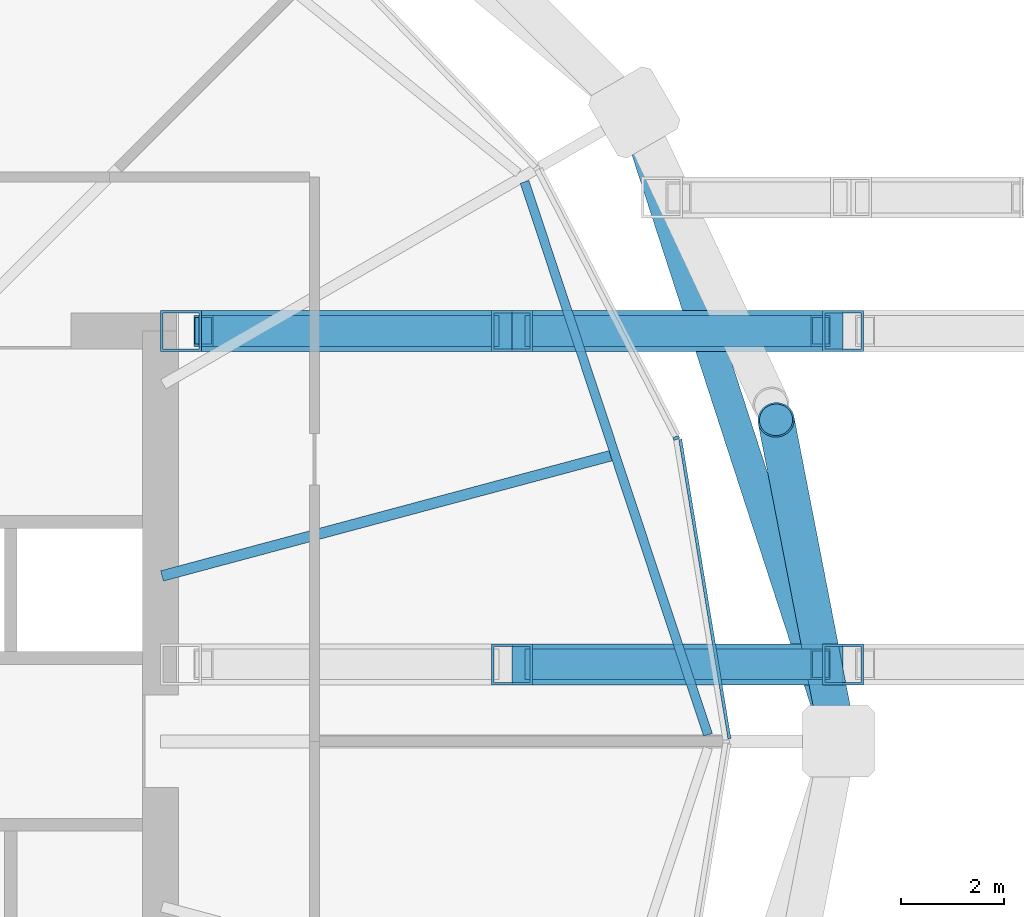
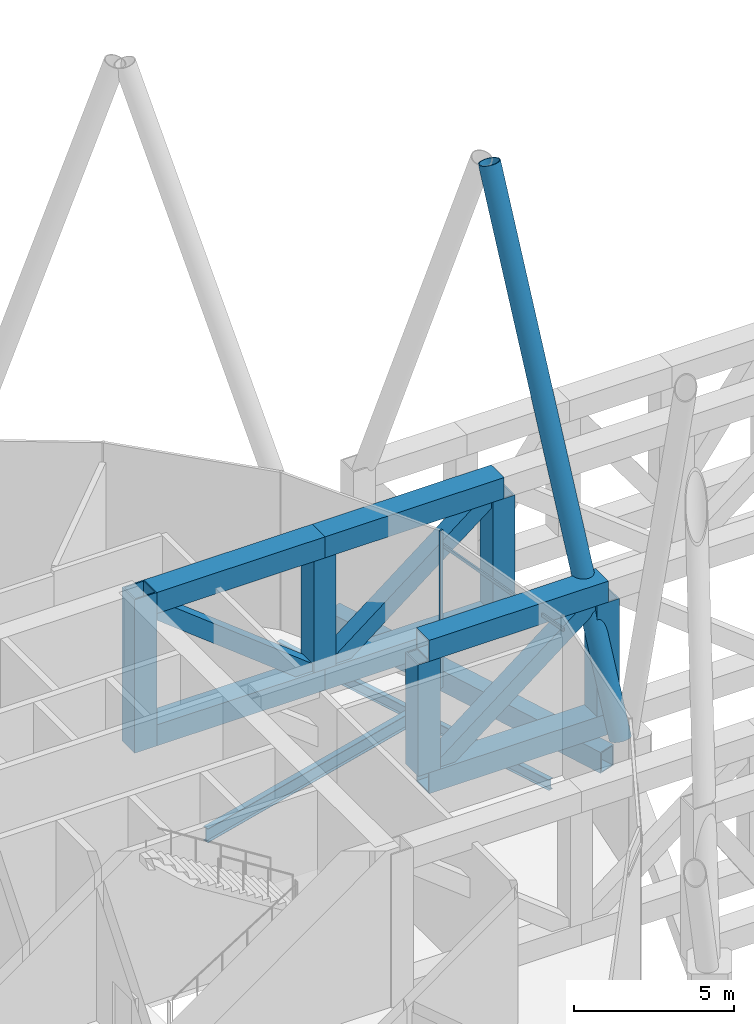
# One storey, part 10 of 39: 17 members, 3 beams, 1 element without a shape of its own.
"""IFC4 building model written with IfcOpenShell, lengths in metres."""

from ifc_helpers import new_model, si_unit, direction, frame, origin, origin_2d, place, context, subcontext, project, spatial, rectangle, hollow_rectangle, hollow_circle, i_section, extrude, material, material_profile, profile_set, type_object, element, aggregate, save


model = new_model("IFC4")

# Units and contexts
model_context = context("Model", 3, precision=1e-05, world=origin(), true_north=direction((0.0, 1.0)))
body_context = subcontext(model_context, "Body", "Model", "MODEL_VIEW")
ifc_project = project(units=[si_unit("LENGTHUNIT", "METRE"), si_unit("AREAUNIT", "SQUARE_METRE"), si_unit("VOLUMEUNIT", "CUBIC_METRE"), si_unit("PLANEANGLEUNIT", "RADIAN"), si_unit("MASSUNIT", "GRAM", prefix="KILO")], contexts=[model_context])

# Site, building, storey
site_placement = place(None, origin())
site = spatial("IfcSite", under=ifc_project, at=site_placement, CompositionType="ELEMENT")
building_placement = place(site_placement, origin())
building = spatial("IfcBuilding", under=site, at=building_placement, Name="Rimbun Link Towers", CompositionType="ELEMENT")
storey_placement = place(building_placement, frame((0.0, 0.0, 127.199951171875)))
storey = spatial("IfcBuildingStorey", under=building, at=storey_placement, Name="L31", CompositionType="ELEMENT", Elevation=127.199951171875)

# Curtain wall, members
ifc_material_1 = material(Name="Aluminium 6063-T6 louvre wall", Category="aluminium")
curtain_wall_type = type_object("IfcCurtainWallType", Name="CW6 plant floor louvre wall", PredefinedType="NOTDEFINED", material=ifc_material_1)
curtain_wall_placement = place(storey_placement, origin())
curtain_wall = element("IfcCurtainWall", 1, at=curtain_wall_placement, inside=storey, type_object=curtain_wall_type, Name="CW6 L31 T1", PredefinedType="NOTDEFINED")
ifc_material_2 = material(Name="Aluminium 6063-T6", Category="aluminium")
ifc_material_profile_1 = material_profile(ifc_material_2, rectangle(XDim=0.1201171875, YDim=0.06005859375, at=origin_2d()), Name="MULLION 60X120")
ifc_profile_set_1 = profile_set([ifc_material_profile_1], Name="Aluminium 6063-T6")
member_type_1 = type_object("IfcMemberType", Name="CW6 mullion 60X120", PredefinedType="MULLION", material=ifc_profile_set_1)
member_1_placement = place(storey_placement, frame((-9.697021484375, 5.91259765625, 0.0), z_axis=(0.0, 0.0, 1.0), x_axis=(0.949163446293, 0.314783659393, 0.0)))
member_1 = element("IfcMember", 2, at=member_1_placement, type_object=member_type_1, Name="CW6 mullion", PredefinedType="MULLION", context=body_context, shape_type="SweptSolid", body=[
    extrude(rectangle(XDim=0.1201171875, YDim=0.06005859375, at=origin_2d()), origin(), (0.0, 0.0, 1.0), 6.0),
])
ifc_material_3 = material(Name="Aluminium 6063-T6", Category="aluminium")
ifc_material_profile_2 = material_profile(ifc_material_3, rectangle(XDim=0.06005859375, YDim=0.1201171875, at=origin_2d()), Name="TRANSOM 60X120")
ifc_profile_set_2 = profile_set([ifc_material_profile_2], Name="Aluminium 6063-T6")
member_type_2 = type_object("IfcMemberType", Name="CW6 transom 60X120", PredefinedType="USERDEFINED", material=ifc_profile_set_2)
member_2_placement = place(storey_placement, frame((-9.620849609375, 5.88525390625, 5.400146484375), z_axis=(0.162269383582, -0.98674649589, 0.0), x_axis=(0.98674649589, 0.162269383582, 0.0)))
member_2 = element("IfcMember", 3, at=member_2_placement, type_object=member_type_2, Name="CW6 transom", ObjectType="TRANSOM", PredefinedType="USERDEFINED", context=body_context, shape_type="SweptSolid", body=[
    extrude(rectangle(XDim=0.06005859375, YDim=0.1201171875, at=origin_2d()), origin(), (0.0, 0.0, 1.0), 5.912841796875),
])
aggregate(curtain_wall, [member_1, member_2])

# Member
ifc_material_4 = material(Name="Steel S460NH", Category="steel")
ifc_material_profile_3 = material_profile(ifc_material_4, hollow_circle(Radius=0.355712890625, WallThickness=0.031982421875, at=origin_2d()), Name="Diagrid diagonal CHS 711x32")
ifc_profile_set_3 = profile_set([ifc_material_profile_3], Name="Steel S460NH")
member_type_3 = type_object("IfcMemberType", Name="Diagrid diagonal CHS 711x32", PredefinedType="BRACE", material=ifc_profile_set_3)
member_3_placement = place(storey_placement, frame((-6.565185546875, 0.155517578125, 0.474365234375), z_axis=(-0.060417947437, 0.310781180507, 0.948559291489), x_axis=(-0.981622328681, -0.190833969291, 0.0)))
element("IfcMember", 4, at=member_3_placement, inside=storey, type_object=member_type_3, Name="Diagrid diagonal T1 L31-L35 00b", PredefinedType="BRACE", context=body_context, shape_type="SweptSolid", body=[
    extrude(hollow_circle(Radius=0.355712890625, WallThickness=0.031982421875, at=origin_2d()), origin(), (0.0, 0.0, 1.0), 19.662841796875),
])

# Beam
ifc_material_5 = material(Name="Steel S355J2", Category="steel")
ifc_material_profile_4 = material_profile(ifc_material_5, hollow_rectangle(XDim=0.60009765625, YDim=0.800048828125, WallThickness=0.0400390625, at=origin_2d()), Name="Exoskeleton ring girder BOX 600x800x40")
ifc_profile_set_4 = profile_set([ifc_material_profile_4], Name="Steel S355J2")
beam_type_1 = type_object("IfcBeamType", Name="Exoskeleton ring girder BOX 600x800x40", PredefinedType="BEAM", material=ifc_profile_set_4)
beam_1_placement = place(storey_placement, frame((-6.751220703125, 0.665771484375, -0.56005859375), z_axis=(-0.308919342072, 0.951088239909, 0.0), x_axis=(-0.951088239909, -0.308919342072, 0.0)))
element("IfcBeam", 5, at=beam_1_placement, inside=storey, type_object=beam_type_1, Name="Exoskeleton ring girder L31 00", PredefinedType="BEAM", context=body_context, shape_type="SweptSolid", body=[
    extrude(hollow_rectangle(XDim=0.60009765625, YDim=0.800048828125, WallThickness=0.0400390625, at=origin_2d()), origin(), (0.0, 0.0, 1.0), 11.489501953125),
])

# Members
ifc_material_6 = material(Name="Steel S460N", Category="steel")
ifc_material_profile_5 = material_profile(ifc_material_6, hollow_rectangle(XDim=0.800048828125, YDim=0.800048828125, WallThickness=0.050048828125, at=origin_2d()), Name="Link transfer truss chord BOX 800x800x50")
ifc_profile_set_5 = profile_set([ifc_material_profile_5], Name="Steel S460N")
member_type_4 = type_object("IfcMemberType", Name="Link transfer truss chord BOX 800x800x50", PredefinedType="CHORD", material=ifc_profile_set_5)
for number, where, z_axis, x_axis, name in (
    (6, (-12.89990234375, 1.5, 0.400146484375), (1.0, 0.0, 0.0), (0.0, 1.0, 0.0), "Link transfer truss chord 2 bottom 01"),
    (7, (-12.89990234375, 1.5, 5.43994140625), (1.0, 0.0, 0.0), (0.0, 1.0, 0.0), "Link transfer truss chord 2 top 01"),
):
    element("IfcMember", number, at=place(storey_placement, frame(where, z_axis=z_axis, x_axis=x_axis)), inside=storey, type_object=member_type_4, Name=name, PredefinedType="CHORD", context=body_context, shape_type="SweptSolid", body=[
        extrude(hollow_rectangle(XDim=0.800048828125, YDim=0.800048828125, WallThickness=0.050048828125, at=origin_2d()), origin(), (0.0, 0.0, 1.0), 6.449951171875),
    ])
for number, where, z_axis, x_axis, name in (
    (8, (-18.949951171875, 8.0, 0.400146484375), (1.0, 0.0, 0.0), (0.0, 1.0, 0.0), "Link transfer truss chord 3 bottom 00"),
    (9, (-18.949951171875, 8.0, 5.43994140625), (1.0, 0.0, 0.0), (0.0, 1.0, 0.0), "Link transfer truss chord 3 top 00"),
):
    element("IfcMember", number, at=place(storey_placement, frame(where, z_axis=z_axis, x_axis=x_axis)), inside=storey, type_object=member_type_4, Name=name, PredefinedType="CHORD", context=body_context, shape_type="SweptSolid", body=[
        extrude(hollow_rectangle(XDim=0.800048828125, YDim=0.800048828125, WallThickness=0.050048828125, at=origin_2d()), origin(), (0.0, 0.0, 1.0), 6.050048828125),
    ])
for number, where, z_axis, x_axis, name in (
    (10, (-12.89990234375, 8.0, 0.400146484375), (1.0, 0.0, 0.0), (0.0, 1.0, 0.0), "Link transfer truss chord 3 bottom 01"),
    (11, (-12.89990234375, 8.0, 5.43994140625), (1.0, 0.0, 0.0), (0.0, 1.0, 0.0), "Link transfer truss chord 3 top 01"),
):
    element("IfcMember", number, at=place(storey_placement, frame(where, z_axis=z_axis, x_axis=x_axis)), inside=storey, type_object=member_type_4, Name=name, PredefinedType="CHORD", context=body_context, shape_type="SweptSolid", body=[
        extrude(hollow_rectangle(XDim=0.800048828125, YDim=0.800048828125, WallThickness=0.050048828125, at=origin_2d()), origin(), (0.0, 0.0, 1.0), 6.449951171875),
    ])
ifc_material_7 = material(Name="Steel S460N", Category="steel")
ifc_material_profile_6 = material_profile(ifc_material_7, hollow_rectangle(XDim=0.60009765625, YDim=0.60009765625, WallThickness=0.0400390625, at=origin_2d()), Name="Link transfer truss diagonal BOX 600x600x40")
ifc_profile_set_6 = profile_set([ifc_material_profile_6], Name="Steel S460N")
member_type_5 = type_object("IfcMemberType", Name="Link transfer truss diagonal BOX 600x600x40", PredefinedType="BRACE", material=ifc_profile_set_6)
member_4_placement = place(storey_placement, frame((-12.466552734375, 1.5, 0.73876953125), z_axis=(0.787964297355, 0.0, 0.615720931992), x_axis=(0.0, 1.0, 0.0)))
element("IfcMember", 12, at=member_4_placement, inside=storey, type_object=member_type_5, Name="Link transfer truss diagonal 2 01", PredefinedType="BRACE", context=body_context, shape_type="SweptSolid", body=[
    extrude(hollow_rectangle(XDim=0.60009765625, YDim=0.60009765625, WallThickness=0.0400390625, at=origin_2d()), origin(), (0.0, 0.0, 1.0), 7.085693359375),
])
member_5_placement = place(storey_placement, frame((-18.91650390625, 8.0, 5.1015625), z_axis=(0.787951234296, 0.0, -0.61573764898), x_axis=(0.0, 1.0, 0.0)))
element("IfcMember", 13, at=member_5_placement, inside=storey, type_object=member_type_5, Name="Link transfer truss diagonal 3 00", PredefinedType="BRACE", context=body_context, shape_type="SweptSolid", body=[
    extrude(hollow_rectangle(XDim=0.60009765625, YDim=0.60009765625, WallThickness=0.0400390625, at=origin_2d()), origin(), (0.0, 0.0, 1.0), 7.08544921875),
])
member_6_placement = place(storey_placement, frame((-12.466552734375, 8.0, 0.73876953125), z_axis=(0.787964297355, 0.0, 0.615720931992), x_axis=(0.0, 1.0, 0.0)))
element("IfcMember", 14, at=member_6_placement, inside=storey, type_object=member_type_5, Name="Link transfer truss diagonal 3 01", PredefinedType="BRACE", context=body_context, shape_type="SweptSolid", body=[
    extrude(hollow_rectangle(XDim=0.60009765625, YDim=0.60009765625, WallThickness=0.0400390625, at=origin_2d()), origin(), (0.0, 0.0, 1.0), 7.085693359375),
])
ifc_material_8 = material(Name="Steel S460N", Category="steel")
ifc_material_profile_7 = material_profile(ifc_material_8, hollow_rectangle(XDim=0.800048828125, YDim=0.800048828125, WallThickness=0.050048828125, at=origin_2d()), Name="Link transfer truss post BOX 800x800x50")
ifc_profile_set_7 = profile_set([ifc_material_profile_7], Name="Steel S460N")
member_type_6 = type_object("IfcMemberType", Name="Link transfer truss post BOX 800x800x50", PredefinedType="POST", material=ifc_profile_set_7)
for number, where, z_axis, x_axis, name in (
    (15, (-12.89990234375, 1.5, 0.800048828125), (0.0, 0.0, 1.0), (1.0, 0.0, 0.0), "Link transfer truss post 2-01"),
    (16, (-6.449951171875, 1.5, 0.800048828125), (0.0, 0.0, 1.0), (1.0, 0.0, 0.0), "Link transfer truss post 2-02"),
):
    element("IfcMember", number, at=place(storey_placement, frame(where, z_axis=z_axis, x_axis=x_axis)), inside=storey, type_object=member_type_6, Name=name, PredefinedType="POST", context=body_context, shape_type="SweptSolid", body=[
        extrude(hollow_rectangle(XDim=0.800048828125, YDim=0.800048828125, WallThickness=0.050048828125, at=origin_2d()), origin(), (0.0, 0.0, 1.0), 4.239990234375),
    ])
member_7_placement = place(storey_placement, frame((-19.35009765625, 8.0, 0.0), z_axis=(0.0, 0.0, 1.0), x_axis=(1.0, 0.0, 0.0)))
element("IfcMember", 17, at=member_7_placement, inside=storey, type_object=member_type_6, Name="Link transfer truss post 3-00", PredefinedType="POST", context=body_context, shape_type="SweptSolid", body=[
    extrude(hollow_rectangle(XDim=0.800048828125, YDim=0.800048828125, WallThickness=0.050048828125, at=origin_2d()), origin(), (0.0, 0.0, 1.0), 5.840087890625),
])
for number, where, z_axis, x_axis, name in (
    (18, (-12.89990234375, 8.0, 0.800048828125), (0.0, 0.0, 1.0), (1.0, 0.0, 0.0), "Link transfer truss post 3-01"),
    (19, (-6.449951171875, 8.0, 0.800048828125), (0.0, 0.0, 1.0), (1.0, 0.0, 0.0), "Link transfer truss post 3-02"),
):
    element("IfcMember", number, at=place(storey_placement, frame(where, z_axis=z_axis, x_axis=x_axis)), inside=storey, type_object=member_type_6, Name=name, PredefinedType="POST", context=body_context, shape_type="SweptSolid", body=[
        extrude(hollow_rectangle(XDim=0.800048828125, YDim=0.800048828125, WallThickness=0.050048828125, at=origin_2d()), origin(), (0.0, 0.0, 1.0), 4.239990234375),
    ])

# Beams
ifc_material_9 = material(Name="Steel S355J2", Category="steel")
ifc_material_profile_8 = material_profile(ifc_material_9, i_section(OverallWidth=0.177978515625, OverallDepth=0.406494140625, WebThickness=0.0078125, FlangeThickness=0.0126953125, at=origin_2d()), Name="UB 406x178x60")
ifc_profile_set_8 = profile_set([ifc_material_profile_8], Name="Steel S355J2")
beam_type_2 = type_object("IfcBeamType", Name="UB 406x178x60", PredefinedType="BEAM", material=ifc_profile_set_8)
beam_2_placement = place(storey_placement, frame((-9.08056640625, 0.127685546875, -0.383056640625), z_axis=(-0.314801575785, 0.949157504255, 0.0), x_axis=(-0.949157504255, -0.314801575785, 0.0)))
element("IfcBeam", 20, at=beam_2_placement, inside=storey, type_object=beam_type_2, Name="Edge beam T1 L31 00-02", PredefinedType="BEAM", context=body_context, shape_type="SweptSolid", body=[
    extrude(i_section(OverallWidth=0.177978515625, OverallDepth=0.406494140625, WebThickness=0.0078125, FlangeThickness=0.0126953125, at=origin_2d()), origin(), (0.0, 0.0, 1.0), 11.352294921875),
])
ifc_material_10 = material(Name="Steel S355J2", Category="steel")
ifc_material_profile_9 = material_profile(ifc_material_10, i_section(OverallWidth=0.209228515625, OverallDepth=0.533203125, WebThickness=0.010009765625, FlangeThickness=0.015625, at=origin_2d()), Name="UB 533x210x92")
ifc_profile_set_9 = profile_set([ifc_material_profile_9], Name="Steel S355J2")
beam_type_3 = type_object("IfcBeamType", Name="UB 533x210x92", PredefinedType="BEAM", material=ifc_profile_set_9)
beam_3_placement = place(storey_placement, frame((-19.721923828125, 3.222900390625, -0.446533203125), z_axis=(0.965922647002, 0.258830910073, 0.0), x_axis=(-0.258830910073, 0.965922647002, 0.0)))
element("IfcBeam", 21, at=beam_3_placement, inside=storey, type_object=beam_type_3, Name="Radial beam T1 L31 01", PredefinedType="BEAM", context=body_context, shape_type="SweptSolid", body=[
    extrude(i_section(OverallWidth=0.209228515625, OverallDepth=0.533203125, WebThickness=0.010009765625, FlangeThickness=0.015625, at=origin_2d()), origin(), (0.0, 0.0, 1.0), 9.05126953125),
])

save(model, "model.ifc")
